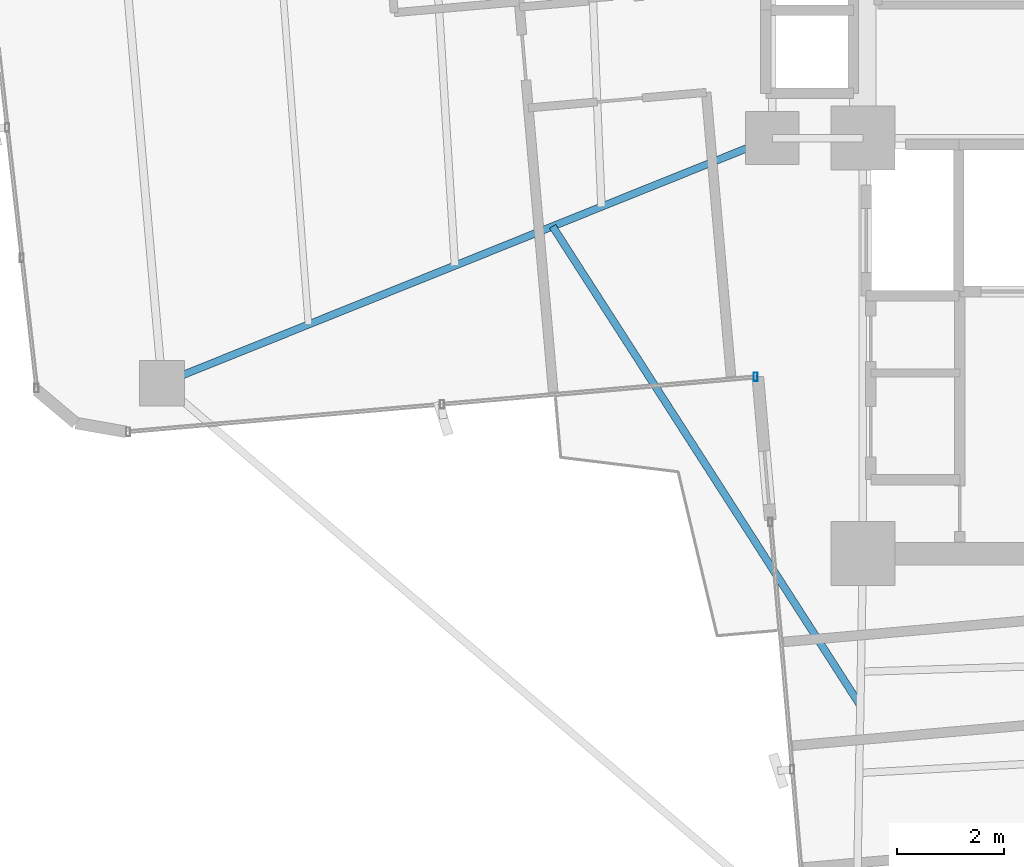
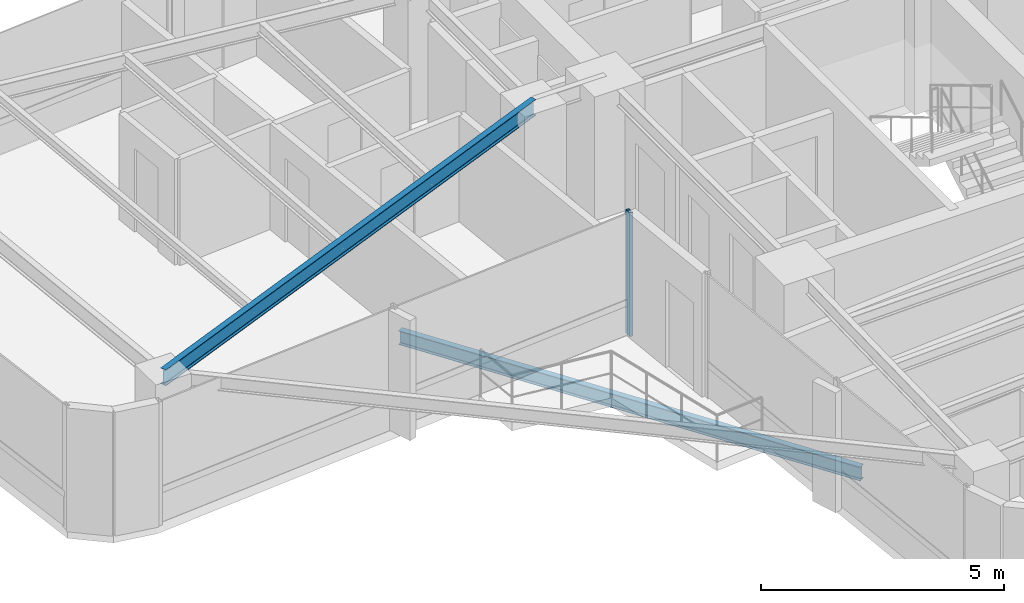
# One storey, part 5 of 24: 2 beams, 1 member, 1 element without a shape of its own.
"""IFC4 building model written with IfcOpenShell, lengths in metres."""

from ifc_helpers import new_model, si_unit, direction, frame, origin, origin_2d, place, context, subcontext, project, spatial, hollow_rectangle, i_section, extrude, source, transform, mapped, material, material_profile, profile_set, type_object, element, aggregate, save


model = new_model("IFC4")

# Units and contexts
model_context = context("Model", 3, precision=1e-05, world=origin(), true_north=direction((0.0, 1.0)))
body_context = subcontext(model_context, "Body", "Model", "MODEL_VIEW")
ifc_project = project(units=[si_unit("LENGTHUNIT", "METRE"), si_unit("AREAUNIT", "SQUARE_METRE"), si_unit("VOLUMEUNIT", "CUBIC_METRE"), si_unit("PLANEANGLEUNIT", "RADIAN"), si_unit("MASSUNIT", "GRAM", prefix="KILO")], contexts=[model_context])

# Site, building, storey
site_placement = place(None, origin())
site = spatial("IfcSite", under=ifc_project, at=site_placement, CompositionType="ELEMENT")
building_placement = place(site_placement, origin())
building = spatial("IfcBuilding", under=site, at=building_placement, Name="Sahyath Konkavel Grand Hotel", CompositionType="ELEMENT")
storey_placement = place(building_placement, frame((0.0, 0.0, 191.949951171875)))
storey = spatial("IfcBuildingStorey", under=building, at=storey_placement, Name="L53", CompositionType="ELEMENT", Elevation=191.949951171875)

# Beam
ifc_material_1 = material(Name="Steel E350", Category="steel")
ifc_material_profile_1 = material_profile(ifc_material_1, i_section(OverallWidth=0.139892578125, OverallDepth=0.39990234375, WebThickness=0.0087890625, FlangeThickness=0.01611328125, FilletRadius=0.013916015625, at=origin_2d()), Name="ISMB 400")
ifc_profile_set_1 = profile_set([ifc_material_profile_1], Name="Steel E350")
beam_type_1 = type_object("IfcBeamType", Name="BM-ISMB400", PredefinedType="BEAM", material=ifc_profile_set_1)
shared_shape_1 = source(origin(), body_context, "Body", "SweptSolid", [
    extrude(i_section(OverallWidth=0.139892578125, OverallDepth=0.39990234375, WebThickness=0.0087890625, FlangeThickness=0.01611328125, FilletRadius=0.013916015625, at=origin_2d()), origin(), (0.0, 0.0, 1.0), 12.344970703125),
])
beam_1_placement = place(storey_placement, frame((-5.5, -2.39990234375, 2.91015625), z_axis=(-0.927837014101, -0.372985891507, 0.0), x_axis=(0.372985891507, -0.927837014101, 0.0)))
element("IfcBeam", 1, at=beam_1_placement, inside=storey, type_object=beam_type_1, Name="L53 Cruciform Radial Girder WB", PredefinedType="BEAM", context=body_context, shape_type="MappedRepresentation", body=[
    mapped(shared_shape_1, transform((0.0, 0.0, 0.0), scale=1.0)),
])

# Curtain wall, member
ifc_material_2 = material(Name="Anodised Bronze Aluminium & Low-E Glazing", Category="aluminium")
curtain_wall_type = type_object("IfcCurtainWallType", Name="CW-ZONE3", PredefinedType="NOTDEFINED", material=ifc_material_2)
curtain_wall_placement = place(storey_placement, origin())
curtain_wall = element("IfcCurtainWall", 2, at=curtain_wall_placement, inside=storey, type_object=curtain_wall_type, Name="L53 Unitised Curtain Wall F23", PredefinedType="NOTDEFINED")
ifc_material_3 = material(Name="Anodised Bronze Aluminium", Category="aluminium")
ifc_material_profile_2 = material_profile(ifc_material_3, hollow_rectangle(XDim=0.080078125, YDim=0.159912109375, WallThickness=0.006103515625, at=origin_2d()), Name="RHS 160x80x6")
ifc_profile_set_2 = profile_set([ifc_material_profile_2], Name="Anodised Bronze Aluminium")
member_type = type_object("IfcMemberType", Name="CW-MUL-160", PredefinedType="MULLION", material=ifc_profile_set_2)
shared_shape_2 = source(origin(), body_context, "Body", "SweptSolid", [
    extrude(hollow_rectangle(XDim=0.080078125, YDim=0.159912109375, WallThickness=0.006103515625, at=origin_2d()), origin(), (0.0, 0.0, 1.0), 3.110107421875),
])
member_placement = place(storey_placement, frame((-5.812255859375, -6.8828125, 0.0), z_axis=(0.0, 0.0, 1.0), x_axis=(1.0, 0.0, 0.0)))
member = element("IfcMember", 3, at=member_placement, type_object=member_type, Name="L53 Curtain Wall Mullion F23-2", PredefinedType="MULLION", context=body_context, shape_type="MappedRepresentation", body=[
    mapped(shared_shape_2, transform((0.0, 0.0, 0.0), scale=1.0)),
])
aggregate(curtain_wall, [member])

# Beam
ifc_material_profile_3 = material_profile(ifc_material_1, i_section(OverallWidth=0.139892578125, OverallDepth=0.35009765625, WebThickness=0.008056640625, FlangeThickness=0.01416015625, FilletRadius=0.013916015625, at=origin_2d()), Name="ISMB 350")
ifc_profile_set_3 = profile_set([ifc_material_profile_3], Name="Steel E350")
beam_type_2 = type_object("IfcBeamType", Name="BM-BALC-CANT", PredefinedType="BEAM", material=ifc_profile_set_3)
shared_shape_3 = source(origin(), body_context, "Body", "SweptSolid", [
    extrude(i_section(OverallWidth=0.139892578125, OverallDepth=0.35009765625, WebThickness=0.008056640625, FlangeThickness=0.01416015625, FilletRadius=0.013916015625, at=origin_2d()), origin(), (0.0, 0.0, 1.0), 10.685302734375),
])
beam_2_placement = place(storey_placement, frame((-9.62353515625, -4.0576171875, -0.4150390625), z_axis=(0.540404181048, -0.841405562797, 0.0), x_axis=(0.841405562797, 0.540404181048, 0.0)))
element("IfcBeam", 4, at=beam_2_placement, inside=storey, type_object=beam_type_2, Name="L53 Balcony Cantilever Support Beam SW", PredefinedType="BEAM", context=body_context, shape_type="MappedRepresentation", body=[
    mapped(shared_shape_3, transform((0.0, 0.0, 0.0), scale=1.0)),
])

save(model, "model.ifc")
